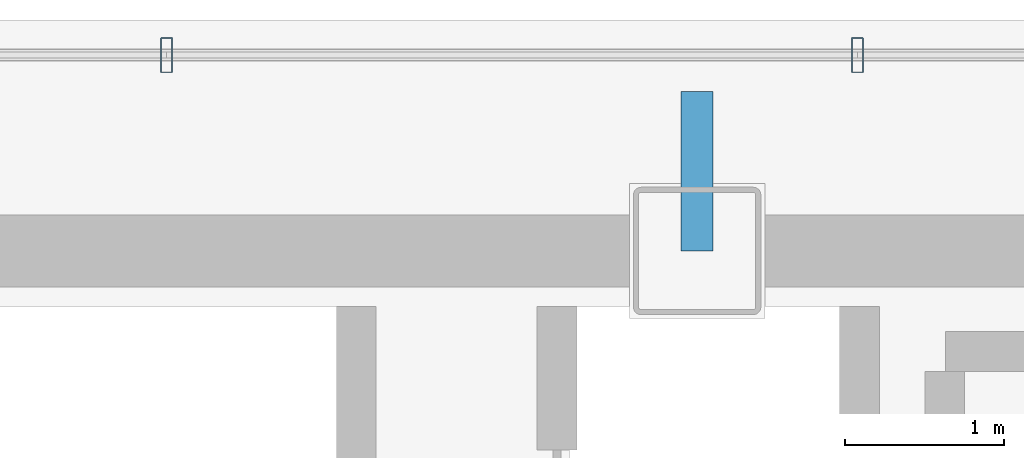
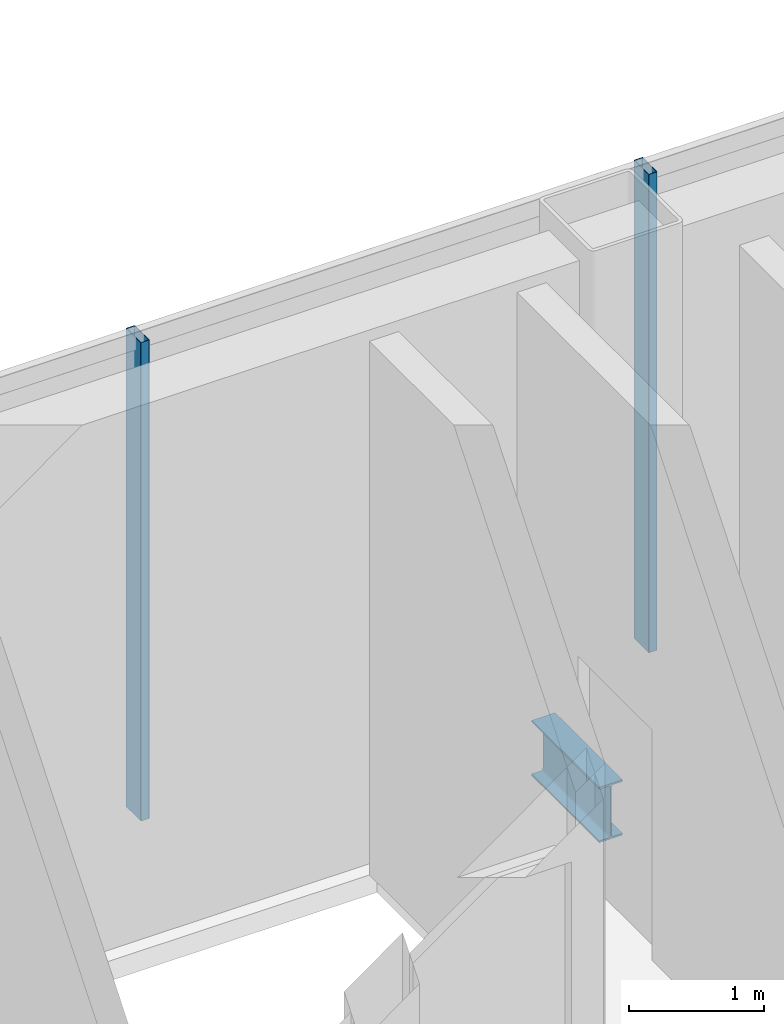
# One storey, part 9 of 15: 2 members, 1 beam, 1 element without a shape of its own.
"""IFC4 building model written with IfcOpenShell, lengths in metres."""

import ifcopenshell
import ifcopenshell.guid

model = None  # the IFC model being written
_history = None  # IfcOwnerHistory: only IFC2X3 demands one
_inside = {}  # id of a spatial element -> (the spatial element, [elements in it])
_under = {}  # id of a project, library or spatial element -> (it, [spatial elements below it])
_declared = {}  # id of a project -> (the project, [libraries it declares])
_typed = {}  # id of a type object -> (the type object, [elements of that type])
_made_of = {}  # id of a material, layer set ... -> (it, [elements and type objects made of it])


def new_model(schema):
    """Start an empty IFC model of exactly this schema.

    Asked for "IFC4X3", IfcOpenShell would pick the latest addendum, in which some entities
    have other attributes; the version numbers below select the first issue.
    IFC2X3 requires an IfcOwnerHistory on every rooted entity: one is made here for all.
    """
    global model, _history
    if schema == "IFC4X3":
        model = ifcopenshell.file(schema_version=(4, 3, 0, 0))
    else:
        model = ifcopenshell.file(schema=schema)
    _inside.clear()
    _under.clear()
    _declared.clear()
    _typed.clear()
    _made_of.clear()
    _history = None
    if model.schema == "IFC2X3":
        org = make("IfcOrganization", Name="unknown")
        user = make(
            "IfcPersonAndOrganization",
            ThePerson=make("IfcPerson", FamilyName="unknown"),
            TheOrganization=org,
        )
        app = make(
            "IfcApplication",
            ApplicationDeveloper=org,
            Version="unknown",
            ApplicationFullName="unknown",
            ApplicationIdentifier="unknown",
        )
        _history = make(
            "IfcOwnerHistory",
            OwningUser=user,
            OwningApplication=app,
            ChangeAction="ADDED",
            CreationDate=0,
        )
    return model


def make(cls, **values):
    """One entity of the class cls with the attributes given. An attribute that is None is left unset."""
    return model.create_entity(
        cls, **{name: value for name, value in values.items() if value is not None}
    )


def rooted(cls, **values):
    """An entity with a GlobalId (a new one), such as an element, a storey or a relation."""
    return make(cls, GlobalId=ifcopenshell.guid.new(), OwnerHistory=_history, **values)


def si_unit(unit_type, name, prefix=None):
    """IfcSIUnit, for example si_unit("LENGTHUNIT", "METRE", prefix="MILLI")."""
    return make("IfcSIUnit", UnitType=unit_type, Prefix=prefix, Name=name)


def assignment(units):
    """IfcUnitAssignment: the units of a project."""
    return None if units is None else make("IfcUnitAssignment", Units=units)


def point(xyz):
    """IfcCartesianPoint."""
    return None if xyz is None else make("IfcCartesianPoint", Coordinates=xyz)


def direction(xyz):
    """IfcDirection."""
    return None if xyz is None else make("IfcDirection", DirectionRatios=xyz)


def frame(location, z_axis=None, x_axis=None):
    """IfcAxis2Placement3D, a coordinate frame: its origin and axes. An axis left out is left unset."""
    return make(
        "IfcAxis2Placement3D",
        Location=point(location),
        Axis=direction(z_axis),
        RefDirection=direction(x_axis),
    )


def frame_2d(location, x_axis=None):
    """IfcAxis2Placement2D, a coordinate frame in the plane: its origin and x axis."""
    return make(
        "IfcAxis2Placement2D", Location=point(location), RefDirection=direction(x_axis)
    )


def origin():
    """The frame at (0, 0, 0) with its axes left unset."""
    return frame((0.0, 0.0, 0.0))


def origin_2d():
    """The frame at (0, 0) in the plane with its x axis left unset."""
    return frame_2d((0.0, 0.0))


def place(relative_to, where):
    """IfcLocalPlacement: puts the frame where relative to a parent placement (None: the world)."""
    return make(
        "IfcLocalPlacement", PlacementRelTo=relative_to, RelativePlacement=where
    )


def context(
    kind, dimensions, precision=None, world=None, true_north=None, identifier=None
):
    """IfcGeometricRepresentationContext, for example the 3D "Model" context."""
    return make(
        "IfcGeometricRepresentationContext",
        ContextIdentifier=identifier,
        ContextType=kind,
        CoordinateSpaceDimension=dimensions,
        Precision=precision,
        WorldCoordinateSystem=world,
        TrueNorth=true_north,
    )


def subcontext(parent, identifier, kind, view, scale=None):
    """IfcGeometricRepresentationSubContext, for example "Body" below "Model"."""
    return make(
        "IfcGeometricRepresentationSubContext",
        ContextIdentifier=identifier,
        ContextType=kind,
        ParentContext=parent,
        TargetScale=scale,
        TargetView=view,
    )


def project(units=None, contexts=None):
    """IfcProject with its units and contexts."""
    return rooted(
        "IfcProject",
        Name="project",
        RepresentationContexts=contexts,
        UnitsInContext=assignment(units),
    )


def spatial(cls, under=None, at=None, **own):
    """A site, building, storey or space (cls), placed at a placement, below another one or the project."""
    s = rooted(cls, ObjectPlacement=at, **own)
    if under is not None:
        _under.setdefault(under.id(), (under, []))[1].append(s)
    return s


def profile(cls, at=None, kind="AREA", **sizes):
    """A parametric profile (cls). Its sizes go by their IFC names, for example OverallWidth=200.0."""
    return make(cls, ProfileType=kind, Position=at, **sizes)


def hollow_rectangle(**sizes):
    """IfcRectangleHollowProfileDef."""
    return profile("IfcRectangleHollowProfileDef", **sizes)


def i_section(**sizes):
    """IfcIShapeProfileDef."""
    return profile("IfcIShapeProfileDef", **sizes)


def extrude(swept, where, along, depth):
    """IfcExtrudedAreaSolid: the profile swept, set in the frame where, extruded along a direction by depth."""
    return make(
        "IfcExtrudedAreaSolid",
        SweptArea=swept,
        Position=where,
        ExtrudedDirection=direction(along),
        Depth=depth,
    )


def shape(context_of_items, identifier, shape_type, items):
    """IfcShapeRepresentation: the items that make up one representation, for example the "Body"."""
    return make(
        "IfcShapeRepresentation",
        ContextOfItems=context_of_items,
        RepresentationIdentifier=identifier,
        RepresentationType=shape_type,
        Items=items,
    )


def material(Name=None, Category=None):
    """IfcMaterial."""
    return make("IfcMaterial", Name=Name, Category=Category)


def material_profile(
    of_material, cross_section, Name=None, Category=None, Priority=None
):
    """IfcMaterialProfile: a cross section and its material."""
    return make(
        "IfcMaterialProfile",
        Name=Name,
        Material=of_material,
        Profile=cross_section,
        Priority=Priority,
        Category=Category,
    )


def profile_set(profiles, Name=None, composite=None):
    """IfcMaterialProfileSet."""
    return make(
        "IfcMaterialProfileSet",
        Name=Name,
        MaterialProfiles=profiles,
        CompositeProfile=composite,
    )


def made_of(thing, what):
    """Note that an element or type object is made of a material, layer set ...; save() writes the relation."""
    if what is not None:
        _made_of.setdefault(what.id(), (what, []))[1].append(thing)
    return thing


def type_object(cls, material=None, **own):
    """A type object (cls), such as IfcWallType, which elements share."""
    return made_of(rooted(cls, **own), material)


def element(
    cls,
    number,
    at=None,
    inside=None,
    cuts=None,
    type_object=None,
    material=None,
    context=None,
    identifier="Body",
    shape_type=None,
    held_by="IfcProductDefinitionShape",
    body=None,
    shapes=None,
    **own,
):
    """One element of the class cls, such as IfcWall. Its Tag is "e" and its number.

    at: its placement. inside: the storey or other place that contains it. cuts: it is an
    opening in that element (IfcRelVoidsElement). A single representation is given by context,
    identifier, shape_type and body (its items); several are given by shapes. held_by: the class
    of the entity that holds the representations. save() writes the other relations.
    """
    e = rooted(cls, Tag="e%d" % number, ObjectPlacement=at, **own)
    if body is not None:
        shapes = [shape(context, identifier, shape_type, body)]
    if shapes is not None:
        e.Representation = make(held_by, Representations=shapes)
    if inside is not None:
        _inside.setdefault(inside.id(), (inside, []))[1].append(e)
    if cuts is not None:
        rooted(
            "IfcRelVoidsElement", RelatingBuildingElement=cuts, RelatedOpeningElement=e
        )
    if type_object is not None:
        _typed.setdefault(type_object.id(), (type_object, []))[1].append(e)
    return made_of(e, material)


def aggregate(whole, parts):
    """IfcRelAggregates: a whole, such as a stair, and the parts it consists of."""
    return rooted("IfcRelAggregates", RelatingObject=whole, RelatedObjects=parts)


def save(model, path):
    """Write the relations noted so far, then the file.

    IfcRelAggregates (storeys below a building ...), IfcRelContainedInSpatialStructure (elements
    in a storey), IfcRelDefinesByType, IfcRelAssociatesMaterial and IfcRelDeclares: one each for
    every whole, place, type object, material and project.
    """
    for whole, parts in _under.values():
        aggregate(whole, parts)
    for where, things in _inside.values():
        rooted(
            "IfcRelContainedInSpatialStructure",
            RelatedElements=things,
            RelatingStructure=where,
        )
    for kind, things in _typed.values():
        rooted("IfcRelDefinesByType", RelatedObjects=things, RelatingType=kind)
    for what, things in _made_of.values():
        rooted("IfcRelAssociatesMaterial", RelatedObjects=things, RelatingMaterial=what)
    for by, libraries in _declared.values():
        rooted("IfcRelDeclares", RelatingContext=by, RelatedDefinitions=libraries)
    model.write(path)


model = new_model("IFC4")

# Units and contexts
model_context = context("Model", 3, precision=1e-05, world=origin(), true_north=direction((0.0, 1.0)))
body_context = subcontext(model_context, "Body", "Model", "MODEL_VIEW")
ifc_project = project(units=[si_unit("LENGTHUNIT", "METRE"), si_unit("AREAUNIT", "SQUARE_METRE"), si_unit("VOLUMEUNIT", "CUBIC_METRE"), si_unit("PLANEANGLEUNIT", "RADIAN"), si_unit("MASSUNIT", "GRAM", prefix="KILO")], contexts=[model_context])

# Site, building, storey
site_placement = place(None, origin())
site = spatial("IfcSite", under=ifc_project, at=site_placement, CompositionType="ELEMENT")
building_placement = place(site_placement, origin())
building = spatial("IfcBuilding", under=site, at=building_placement, Name="Noeulbin Bourse Tower", CompositionType="ELEMENT")
storey_placement = place(building_placement, frame((0.0, 0.0, 206.10009765625)))
storey = spatial("IfcBuildingStorey", under=building, at=storey_placement, Name="L51", CompositionType="ELEMENT", Elevation=206.10009765625)

# Beam
ifc_material_1 = material(Name="Steel S355", Category="steel")
ifc_material_profile_1 = material_profile(ifc_material_1, i_section(OverallWidth=0.199951171875, OverallDepth=0.5, WebThickness=0.010009765625, FlangeThickness=0.01611328125, FilletRadius=0.02001953125, at=origin_2d()), Name="H-500x200x10x16", Category="LoadBearing")
ifc_profile_set_1 = profile_set([ifc_material_profile_1], Name="Steel S355")
beam_type = type_object("IfcBeamType", Name="BM-GRD-500", PredefinedType="USERDEFINED", material=ifc_profile_set_1)
beam_placement = place(storey_placement, frame((37.5, 38.300048828125, -0.43017578125), z_axis=(0.0, 1.0, 0.0), x_axis=(-1.0, 0.0, 0.0)))
element("IfcBeam", 1, at=beam_placement, inside=storey, type_object=beam_type, Name="Tower Primary Girder NS L51-4.4", ObjectType="GIRDER", PredefinedType="USERDEFINED", context=body_context, shape_type="SweptSolid", body=[
    extrude(i_section(OverallWidth=0.199951171875, OverallDepth=0.5, WebThickness=0.010009765625, FlangeThickness=0.01611328125, FilletRadius=0.02001953125, at=origin_2d()), origin(), (0.0, 0.0, 1.0), 1.0),
])

# Curtain wall, members
ifc_material_2 = material(Name="High-Selectivity Low-Iron Glazing", Category="glass")
curtain_wall_type = type_object("IfcCurtainWallType", Name="CW-SYS-4", PredefinedType="NOTDEFINED", material=ifc_material_2)
curtain_wall_placement = place(storey_placement, origin())
curtain_wall = element("IfcCurtainWall", 2, at=curtain_wall_placement, inside=storey, type_object=curtain_wall_type, Name="Unitised Curtain Wall CW-L51-N", PredefinedType="NOTDEFINED")
ifc_material_3 = material(Name="Anodised Aluminium 6063-T6", Category="aluminium")
ifc_material_profile_2 = material_profile(ifc_material_3, hollow_rectangle(XDim=0.074951171875, YDim=0.219970703125, WallThickness=0.0048828125, InnerFilletRadius=0.00244140625, OuterFilletRadius=0.0048828125, at=origin_2d()), Name="ALU-MULL-75x220x5", Category="LoadBearing")
ifc_profile_set_2 = profile_set([ifc_material_profile_2], Name="Anodised Aluminium 6063-T6")
member_type = type_object("IfcMemberType", Name="CW-SYS-4-MUL", PredefinedType="MULLION", material=ifc_profile_set_2)
member_1_placement = place(storey_placement, frame((34.1689453125, 39.530029296875, -0.02001953125), z_axis=(0.0, 0.0, 1.0), x_axis=(1.0, 0.0, 0.0)))
member_1 = element("IfcMember", 3, at=member_1_placement, type_object=member_type, Name="Curtain Wall Mullion CW-L51-N-M05", PredefinedType="MULLION", context=body_context, shape_type="SweptSolid", body=[
    extrude(hollow_rectangle(XDim=0.074951171875, YDim=0.219970703125, WallThickness=0.0048828125, InnerFilletRadius=0.00244140625, OuterFilletRadius=0.0048828125, at=origin_2d()), origin(), (0.0, 0.0, 1.0), 4.31982421875),
])
member_2_placement = place(storey_placement, frame((38.506591796875, 39.530029296875, -0.02001953125), z_axis=(0.0, 0.0, 1.0), x_axis=(1.0, 0.0, 0.0)))
member_2 = element("IfcMember", 4, at=member_2_placement, type_object=member_type, Name="Curtain Wall Mullion CW-L51-N-M06", PredefinedType="MULLION", context=body_context, shape_type="SweptSolid", body=[
    extrude(hollow_rectangle(XDim=0.074951171875, YDim=0.219970703125, WallThickness=0.0048828125, InnerFilletRadius=0.00244140625, OuterFilletRadius=0.0048828125, at=origin_2d()), origin(), (0.0, 0.0, 1.0), 4.31982421875),
])
aggregate(curtain_wall, [member_1, member_2])

save(model, "model.ifc")
